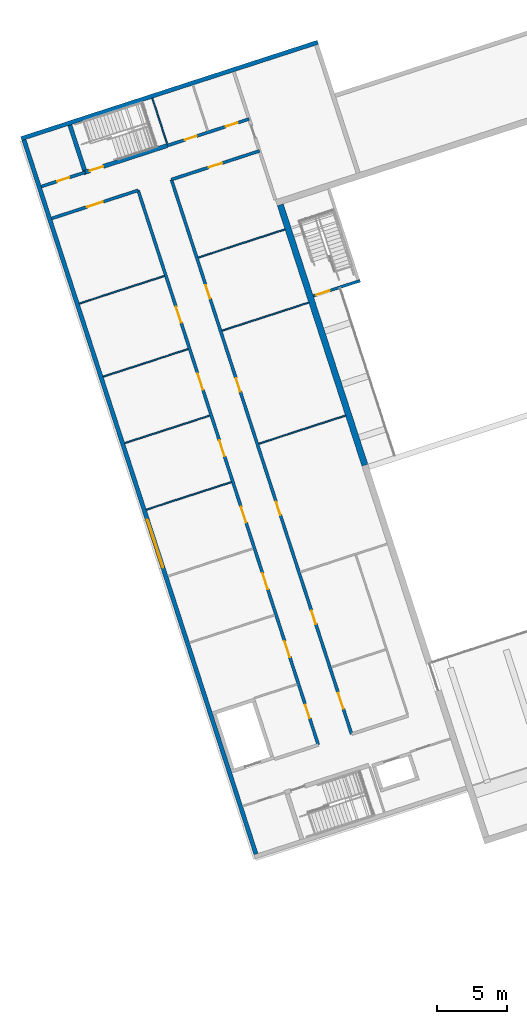
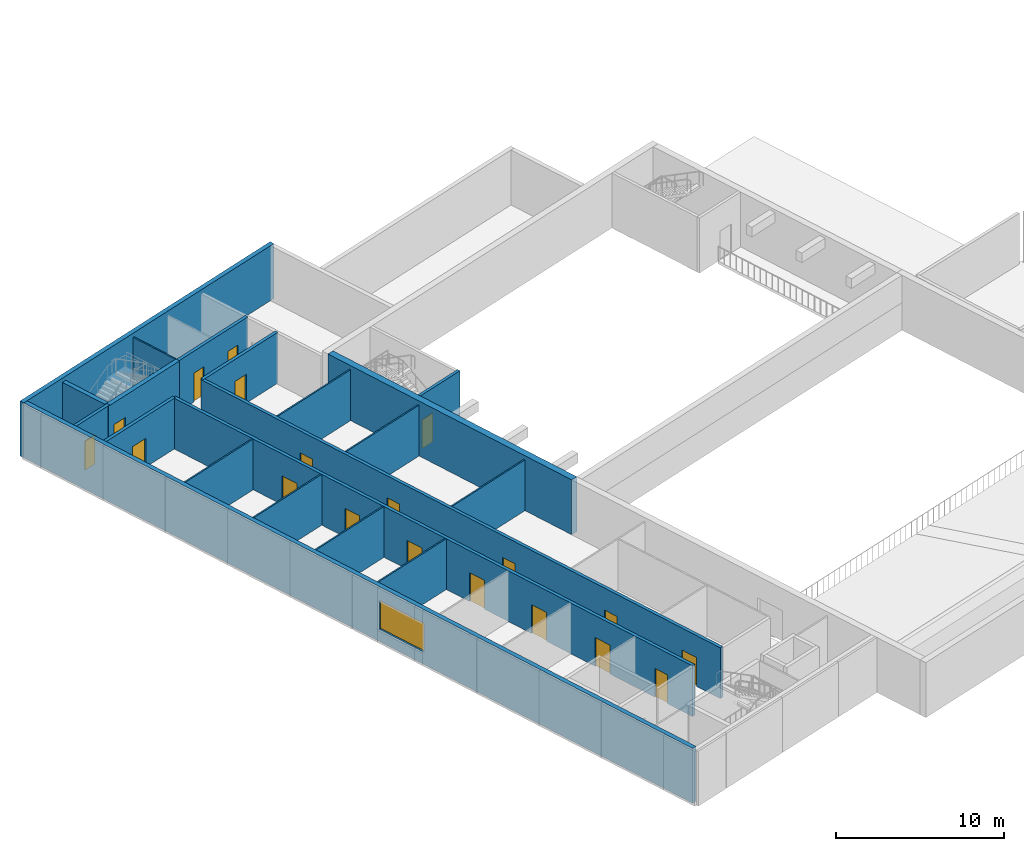
# One storey, part 54 of 65: 20 walls, 19 doors, 1 window, 20 openings.
"""IFC4 building model written with IfcOpenShell, lengths in metres."""

from ifc_helpers import new_model, si_unit, direction, frame, frame_2d, origin, place, context, subcontext, project, spatial, rectangle, extrude, material, layer, layer_set, type_object, element, fill, save


model = new_model("IFC4")

# Units and contexts
model_context = context("Model", 3, precision=1e-05, world=origin(), true_north=direction((0.0, 1.0)))
body_context = subcontext(model_context, "Body", "Model", "MODEL_VIEW")
ifc_project = project(units=[si_unit("LENGTHUNIT", "METRE"), si_unit("AREAUNIT", "SQUARE_METRE"), si_unit("VOLUMEUNIT", "CUBIC_METRE"), si_unit("PLANEANGLEUNIT", "RADIAN"), si_unit("MASSUNIT", "GRAM", prefix="KILO")], contexts=[model_context])

# Site, building, storey
site_placement = place(None, origin())
site = spatial("IfcSite", under=ifc_project, at=site_placement, CompositionType="ELEMENT")
building_placement = place(site_placement, origin())
building = spatial("IfcBuilding", under=site, at=building_placement, Name="Tuart Plaza Theatre", CompositionType="ELEMENT")
storey_placement = place(building_placement, frame((0.0, 0.0, 9.5)))
storey = spatial("IfcBuildingStorey", under=building, at=storey_placement, Name="L02", CompositionType="ELEMENT", Elevation=9.5)

# Walls
ifc_material_1 = material(Name="Plasterboard on steel stud", Category="steel")
ifc_layer_1 = layer(ifc_material_1, 0.10009765625)
ifc_layer_set_1 = layer_set([ifc_layer_1], Name="PARTITION STD100")
wall_type_1 = type_object("IfcWallType", Name="PARTITION STD100", PredefinedType="PARTITIONING", material=ifc_layer_set_1)
wall_1_placement = place(storey_placement, frame((25.6552734375, 65.6337890625, 0.0), z_axis=(0.0, 0.0, 1.0), x_axis=(0.951055405517, 0.309020412977, 0.0)))
element("IfcWall", 1, at=wall_1_placement, inside=storey, type_object=wall_type_1, Name="P259", PredefinedType="PARTITIONING", context=body_context, shape_type="SweptSolid", body=[
    extrude(rectangle(XDim=6.389892578125, YDim=0.10009765625, at=frame_2d((3.19482421875, 0.0))), origin(), (0.0, 0.0, 1.0), 3.699951171875),
])
wall_2_placement = place(storey_placement, frame((33.701416015625, 70.35107421875, 0.0), z_axis=(0.0, 0.0, 1.0), x_axis=(0.951058024796, 0.309012351648, 0.0)))
element("IfcWall", 2, at=wall_2_placement, inside=storey, type_object=wall_type_1, Name="P260", PredefinedType="PARTITIONING", context=body_context, shape_type="SweptSolid", body=[
    extrude(rectangle(XDim=6.514892578125, YDim=0.10009765625, at=frame_2d((3.25732421875, 0.0))), origin(), (0.0, 0.0, 1.0), 3.699951171875),
])
wall_3_placement = place(storey_placement, frame((24.110107421875, 70.38916015625, 0.0), z_axis=(0.0, 0.0, 1.0), x_axis=(0.951059053869, 0.309009184417, 0.0)))
element("IfcWall", 3, at=wall_3_placement, inside=storey, type_object=wall_type_1, Name="P261", PredefinedType="PARTITIONING", context=body_context, shape_type="SweptSolid", body=[
    extrude(rectangle(XDim=6.39013671875, YDim=0.10009765625, at=frame_2d((3.195068359375, 0.0))), origin(), (0.0, 0.0, 1.0), 3.699951171875),
])
wall_4_placement = place(storey_placement, frame((22.565185546875, 75.144287109375, 0.0), z_axis=(0.0, 0.0, 1.0), x_axis=(0.951055405517, 0.309020412977, 0.0)))
element("IfcWall", 4, at=wall_4_placement, inside=storey, type_object=wall_type_1, Name="P262", PredefinedType="PARTITIONING", context=body_context, shape_type="SweptSolid", body=[
    extrude(rectangle(XDim=6.389892578125, YDim=0.10009765625, at=frame_2d((3.19482421875, 0.0))), origin(), (0.0, 0.0, 1.0), 3.699951171875),
])
wall_5_placement = place(storey_placement, frame((31.07470703125, 78.43505859375, 0.0), z_axis=(0.0, 0.0, 1.0), x_axis=(0.951058024796, 0.309012351648, 0.0)))
element("IfcWall", 5, at=wall_5_placement, inside=storey, type_object=wall_type_1, Name="P263", PredefinedType="PARTITIONING", context=body_context, shape_type="SweptSolid", body=[
    extrude(rectangle(XDim=6.514892578125, YDim=0.10009765625, at=frame_2d((3.25732421875, 0.0))), origin(), (0.0, 0.0, 1.0), 3.699951171875),
])
wall_6_placement = place(storey_placement, frame((20.865478515625, 80.375244140625, 0.0), z_axis=(0.0, 0.0, 1.0), x_axis=(0.951055405517, 0.309020412977, 0.0)))
element("IfcWall", 6, at=wall_6_placement, inside=storey, type_object=wall_type_1, Name="P264", PredefinedType="PARTITIONING", context=body_context, shape_type="SweptSolid", body=[
    extrude(rectangle(XDim=6.389892578125, YDim=0.10009765625, at=frame_2d((3.19482421875, 0.0))), origin(), (0.0, 0.0, 1.0), 3.699951171875),
])
wall_7_placement = place(storey_placement, frame((29.375, 83.665771484375, 0.0), z_axis=(0.0, 0.0, 1.0), x_axis=(0.951061602966, 0.309001338773, 0.0)))
element("IfcWall", 7, at=wall_7_placement, inside=storey, type_object=wall_type_1, Name="P265", PredefinedType="PARTITIONING", context=body_context, shape_type="SweptSolid", body=[
    extrude(rectangle(XDim=6.51513671875, YDim=0.10009765625, at=frame_2d((3.257568359375, 0.0))), origin(), (0.0, 0.0, 1.0), 3.699951171875),
])
ifc_material_2 = material(Name="Plasterboard on steel stud", Category="steel")
ifc_layer_2 = layer(ifc_material_2, 0.10009765625)
ifc_layer_set_2 = layer_set([ifc_layer_2], Name="PARTITION STD100 FRL 120/120/120")
wall_type_2 = type_object("IfcWallType", Name="PARTITION STD100 FRL 120/120/120", PredefinedType="PARTITIONING", material=ifc_layer_set_2)
wall_8_placement = place(storey_placement, frame((27.134765625, 91.82275390625, 0.0), z_axis=(0.0, 0.0, 1.0), x_axis=(-0.308980533303, 0.951068362443, 0.0)))
element("IfcWall", 8, at=wall_8_placement, inside=storey, type_object=wall_type_2, Name="P267", PredefinedType="PARTITIONING", context=body_context, shape_type="SweptSolid", body=[
    extrude(rectangle(XDim=3.39990234375, YDim=0.10009765625, at=frame_2d((1.699951171875, 0.0))), origin(), (0.0, 0.0, 1.0), 3.699951171875),
])
ifc_material_3 = material(Name="Concrete N50 (50 MPa)", Category="concrete")
ifc_layer_3 = layer(ifc_material_3, 0.449951171875)
ifc_layer_set_3 = layer_set([ifc_layer_3], Name="SHEAR WALL RC450 N50 FRL 120/120/120")
wall_type_3 = type_object("IfcWallType", Name="SHEAR WALL RC450 N50 FRL 120/120/120", PredefinedType="SHEAR", material=ifc_layer_set_3)
wall_9_placement = place(storey_placement, frame((41.28564453125, 68.81982421875, 0.0), z_axis=(0.0, 0.0, 1.0), x_axis=(-0.309008517326, 0.951059270613, 0.0)))
element("IfcWall", 9, at=wall_9_placement, inside=storey, type_object=wall_type_3, Name="W47", PredefinedType="SHEAR", context=body_context, shape_type="SweptSolid", body=[
    extrude(rectangle(XDim=19.574951171875, YDim=0.449951171875, at=frame_2d((9.78759765625, 0.0))), origin(), (0.0, 0.0, 1.0), 4.0),
])

# Wall, opening, door
ifc_material_4 = material(Name="Concrete N40 (40 MPa)", Category="concrete")
ifc_layer_4 = layer(ifc_material_4, 0.199951171875)
ifc_layer_set_4 = layer_set([ifc_layer_4], Name="WALL RC200 LB FRL 120/120/120")
wall_type_4 = type_object("IfcWallType", Name="WALL RC200 LB FRL 120/120/120", PredefinedType="SOLIDWALL", material=ifc_layer_set_4)
wall_10_placement = place(storey_placement, frame((37.590576171875, 80.920166015625, 0.0), z_axis=(0.0, 0.0, 1.0), x_axis=(0.951052389726, 0.30902969436, 0.0)))
wall_10 = element("IfcWall", 10, at=wall_10_placement, inside=storey, type_object=wall_type_4, Name="W138", PredefinedType="SOLIDWALL", context=body_context, shape_type="SweptSolid", body=[
    extrude(rectangle(XDim=3.525146484375, YDim=0.199951171875, at=frame_2d((1.7626953125, 0.0))), origin(), (0.0, 0.0, 1.0), 4.0),
])
opening_1_placement = place(wall_10_placement, frame((0.22509765625, 0.0, 0.0)))
opening_1 = element("IfcOpeningElement", 11, at=opening_1_placement, cuts=wall_10, Name="Opening L02-028", PredefinedType="OPENING", context=body_context, shape_type="SweptSolid", body=[
    extrude(rectangle(XDim=1.0, YDim=2.10009765625, at=frame_2d((0.5, 1.050048828125))), frame((0.0, 0.10986328125, 0.0), z_axis=(0.0, -1.0, 0.0), x_axis=(1.0, 0.0, 0.0)), (0.0, 0.0, 1.0), 0.219970703125),
])
ifc_material_5 = material(Name="Timber", Category="wood")
door_type_1 = type_object("IfcDoorType", Name="DOOR 1000x2100 timber single swing FRL -/120/30", OperationType="SINGLE_SWING_LEFT", PredefinedType="DOOR", material=ifc_material_5)
door_1_placement = place(opening_1_placement, origin())
door_1 = element("IfcDoor", 12, at=door_1_placement, inside=storey, type_object=door_type_1, Name="L02-028", OperationType="SINGLE_SWING_LEFT", OverallHeight=2.10009765625, OverallWidth=1.0, PredefinedType="DOOR", context=body_context, shape_type="SweptSolid", body=[
    extrude(rectangle(XDim=1.0, YDim=2.10009765625, at=frame_2d((0.5, 1.050048828125))), frame((0.0, 0.02490234375, 0.0), z_axis=(0.0, -1.0, 0.0), x_axis=(1.0, 0.0, 0.0)), (0.0, 0.0, 1.0), 0.050048828125),
])
fill(opening_1, door_1)

# Wall, openings, doors
ifc_material_6 = material(Name="Concrete N40 (40 MPa)", Category="concrete")
ifc_layer_5 = layer(ifc_material_6, 0.219970703125)
ifc_layer_set_5 = layer_set([ifc_layer_5], Name="WALL RC220 LB FRL 120/120/120")
wall_type_5 = type_object("IfcWallType", Name="WALL RC220 LB FRL 120/120/120", PredefinedType="SOLIDWALL", material=ifc_layer_set_5)
wall_11_placement = place(storey_placement, frame((37.95556640625, 48.8115234375, 0.0), z_axis=(0.0, 0.0, 1.0), x_axis=(-0.30901736393, 0.951056396219, 0.0)))
wall_11 = element("IfcWall", 13, at=wall_11_placement, inside=storey, type_object=wall_type_5, Name="W521", PredefinedType="SOLIDWALL", context=body_context, shape_type="SweptSolid", body=[
    extrude(rectangle(XDim=41.699951171875, YDim=0.219970703125, at=frame_2d((20.85009765625, 0.0))), origin(), (0.0, 0.0, 1.0), 3.699951171875),
])
opening_2_placement = place(wall_11_placement, frame((2.009033203125, 0.0, 0.0)))
opening_2 = element("IfcOpeningElement", 14, at=opening_2_placement, cuts=wall_11, Name="Opening L02-011", PredefinedType="OPENING", context=body_context, shape_type="SweptSolid", body=[
    extrude(rectangle(XDim=1.0, YDim=2.10009765625, at=frame_2d((0.5, 1.050048828125))), frame((0.0, 0.119873046875, 0.0), z_axis=(0.0, -1.0, 0.0), x_axis=(1.0, 0.0, 0.0)), (0.0, 0.0, 1.0), 0.239990234375),
])
opening_3_placement = place(wall_11_placement, frame((6.60009765625, 0.0, 0.0)))
opening_3 = element("IfcOpeningElement", 15, at=opening_3_placement, cuts=wall_11, Name="Opening L02-012", PredefinedType="OPENING", context=body_context, shape_type="SweptSolid", body=[
    extrude(rectangle(XDim=1.199951171875, YDim=2.10009765625, at=frame_2d((0.60009765625, 1.050048828125))), frame((0.0, 0.119873046875, 0.0), z_axis=(0.0, -1.0, 0.0), x_axis=(1.0, 0.0, 0.0)), (0.0, 0.0, 1.0), 0.239990234375),
])
opening_4_placement = place(wall_11_placement, frame((11.699951171875, 0.0, 0.0)))
opening_4 = element("IfcOpeningElement", 16, at=opening_4_placement, cuts=wall_11, Name="Opening L02-013", PredefinedType="OPENING", context=body_context, shape_type="SweptSolid", body=[
    extrude(rectangle(XDim=1.199951171875, YDim=2.10009765625, at=frame_2d((0.60009765625, 1.050048828125))), frame((0.0, 0.119873046875, 0.0), z_axis=(0.0, -1.0, 0.0), x_axis=(1.0, 0.0, 0.0)), (0.0, 0.0, 1.0), 0.239990234375),
])
opening_5_placement = place(wall_11_placement, frame((16.699951171875, 0.0, 0.0)))
opening_5 = element("IfcOpeningElement", 17, at=opening_5_placement, cuts=wall_11, Name="Opening L02-014", PredefinedType="OPENING", context=body_context, shape_type="SweptSolid", body=[
    extrude(rectangle(XDim=1.199951171875, YDim=2.10009765625, at=frame_2d((0.60009765625, 1.050048828125))), frame((0.0, 0.119873046875, 0.0), z_axis=(0.0, -1.0, 0.0), x_axis=(1.0, 0.0, 0.0)), (0.0, 0.0, 1.0), 0.239990234375),
])
opening_6_placement = place(wall_11_placement, frame((21.699951171875, 0.0, 0.0)))
opening_6 = element("IfcOpeningElement", 18, at=opening_6_placement, cuts=wall_11, Name="Opening L02-015", PredefinedType="OPENING", context=body_context, shape_type="SweptSolid", body=[
    extrude(rectangle(XDim=1.199951171875, YDim=2.10009765625, at=frame_2d((0.60009765625, 1.050048828125))), frame((0.0, 0.119873046875, 0.0), z_axis=(0.0, -1.0, 0.0), x_axis=(1.0, 0.0, 0.0)), (0.0, 0.0, 1.0), 0.239990234375),
])
opening_7_placement = place(wall_11_placement, frame((26.699951171875, 0.0, 0.0)))
opening_7 = element("IfcOpeningElement", 19, at=opening_7_placement, cuts=wall_11, Name="Opening L02-016", PredefinedType="OPENING", context=body_context, shape_type="SweptSolid", body=[
    extrude(rectangle(XDim=1.199951171875, YDim=2.10009765625, at=frame_2d((0.60009765625, 1.050048828125))), frame((0.0, 0.119873046875, 0.0), z_axis=(0.0, -1.0, 0.0), x_axis=(1.0, 0.0, 0.0)), (0.0, 0.0, 1.0), 0.239990234375),
])
opening_8_placement = place(wall_11_placement, frame((31.738525390625, 0.0, 0.0)))
opening_8 = element("IfcOpeningElement", 20, at=opening_8_placement, cuts=wall_11, Name="Opening L02-017", PredefinedType="OPENING", context=body_context, shape_type="SweptSolid", body=[
    extrude(rectangle(XDim=1.199951171875, YDim=2.10009765625, at=frame_2d((0.60009765625, 1.050048828125))), frame((0.0, 0.119873046875, 0.0), z_axis=(0.0, -1.0, 0.0), x_axis=(1.0, 0.0, 0.0)), (0.0, 0.0, 1.0), 0.239990234375),
])
door_2_placement = place(opening_2_placement, origin())
door_2 = element("IfcDoor", 21, at=door_2_placement, inside=storey, type_object=door_type_1, Name="L02-011", OperationType="SINGLE_SWING_LEFT", OverallHeight=2.10009765625, OverallWidth=1.0, PredefinedType="DOOR", context=body_context, shape_type="SweptSolid", body=[
    extrude(rectangle(XDim=1.0, YDim=2.10009765625, at=frame_2d((0.5, 1.050048828125))), frame((0.0, 0.02490234375, 0.0), z_axis=(0.0, -1.0, 0.0), x_axis=(1.0, 0.0, 0.0)), (0.0, 0.0, 1.0), 0.050048828125),
])
fill(opening_2, door_2)
ifc_material_7 = material(Name="Timber", Category="wood")
door_type_2 = type_object("IfcDoorType", Name="DOOR 1200x2100 timber single swing FRL -/120/30", OperationType="SINGLE_SWING_LEFT", PredefinedType="DOOR", material=ifc_material_7)
door_3_placement = place(opening_3_placement, origin())
door_3 = element("IfcDoor", 22, at=door_3_placement, inside=storey, type_object=door_type_2, Name="L02-012", OperationType="SINGLE_SWING_RIGHT", OverallHeight=2.10009765625, OverallWidth=1.199951171875, PredefinedType="DOOR", context=body_context, shape_type="SweptSolid", body=[
    extrude(rectangle(XDim=1.199951171875, YDim=2.10009765625, at=frame_2d((0.60009765625, 1.050048828125))), frame((0.0, 0.02490234375, 0.0), z_axis=(0.0, -1.0, 0.0), x_axis=(1.0, 0.0, 0.0)), (0.0, 0.0, 1.0), 0.050048828125),
])
fill(opening_3, door_3)
door_4_placement = place(opening_4_placement, origin())
door_4 = element("IfcDoor", 23, at=door_4_placement, inside=storey, type_object=door_type_2, Name="L02-013", OperationType="SINGLE_SWING_RIGHT", OverallHeight=2.10009765625, OverallWidth=1.199951171875, PredefinedType="DOOR", context=body_context, shape_type="SweptSolid", body=[
    extrude(rectangle(XDim=1.199951171875, YDim=2.10009765625, at=frame_2d((0.60009765625, 1.050048828125))), frame((0.0, 0.02490234375, 0.0), z_axis=(0.0, -1.0, 0.0), x_axis=(1.0, 0.0, 0.0)), (0.0, 0.0, 1.0), 0.050048828125),
])
fill(opening_4, door_4)
door_5_placement = place(opening_5_placement, origin())
door_5 = element("IfcDoor", 24, at=door_5_placement, inside=storey, type_object=door_type_2, Name="L02-014", OperationType="SINGLE_SWING_RIGHT", OverallHeight=2.10009765625, OverallWidth=1.199951171875, PredefinedType="DOOR", context=body_context, shape_type="SweptSolid", body=[
    extrude(rectangle(XDim=1.199951171875, YDim=2.10009765625, at=frame_2d((0.60009765625, 1.050048828125))), frame((0.0, 0.02490234375, 0.0), z_axis=(0.0, -1.0, 0.0), x_axis=(1.0, 0.0, 0.0)), (0.0, 0.0, 1.0), 0.050048828125),
])
fill(opening_5, door_5)
door_6_placement = place(opening_6_placement, origin())
door_6 = element("IfcDoor", 25, at=door_6_placement, inside=storey, type_object=door_type_2, Name="L02-015", OperationType="SINGLE_SWING_LEFT", OverallHeight=2.10009765625, OverallWidth=1.199951171875, PredefinedType="DOOR", context=body_context, shape_type="SweptSolid", body=[
    extrude(rectangle(XDim=1.199951171875, YDim=2.10009765625, at=frame_2d((0.60009765625, 1.050048828125))), frame((0.0, 0.02490234375, 0.0), z_axis=(0.0, -1.0, 0.0), x_axis=(1.0, 0.0, 0.0)), (0.0, 0.0, 1.0), 0.050048828125),
])
fill(opening_6, door_6)
door_7_placement = place(opening_7_placement, origin())
door_7 = element("IfcDoor", 26, at=door_7_placement, inside=storey, type_object=door_type_2, Name="L02-016", OperationType="SINGLE_SWING_LEFT", OverallHeight=2.10009765625, OverallWidth=1.199951171875, PredefinedType="DOOR", context=body_context, shape_type="SweptSolid", body=[
    extrude(rectangle(XDim=1.199951171875, YDim=2.10009765625, at=frame_2d((0.60009765625, 1.050048828125))), frame((0.0, 0.02490234375, 0.0), z_axis=(0.0, -1.0, 0.0), x_axis=(1.0, 0.0, 0.0)), (0.0, 0.0, 1.0), 0.050048828125),
])
fill(opening_7, door_7)
door_8_placement = place(opening_8_placement, origin())
door_8 = element("IfcDoor", 27, at=door_8_placement, inside=storey, type_object=door_type_2, Name="L02-017", OperationType="SINGLE_SWING_LEFT", OverallHeight=2.10009765625, OverallWidth=1.199951171875, PredefinedType="DOOR", context=body_context, shape_type="SweptSolid", body=[
    extrude(rectangle(XDim=1.199951171875, YDim=2.10009765625, at=frame_2d((0.60009765625, 1.050048828125))), frame((0.0, 0.02490234375, 0.0), z_axis=(0.0, -1.0, 0.0), x_axis=(1.0, 0.0, 0.0)), (0.0, 0.0, 1.0), 0.050048828125),
])
fill(opening_8, door_8)

wall_12_placement = place(storey_placement, frame((40.333251953125, 49.583984375, 0.0), z_axis=(0.0, 0.0, 1.0), x_axis=(-0.309015643281, 0.951056955291, 0.0)))
wall_12 = element("IfcWall", 28, at=wall_12_placement, inside=storey, type_object=wall_type_5, Name="W522", PredefinedType="SOLIDWALL", context=body_context, shape_type="SweptSolid", body=[
    extrude(rectangle(XDim=41.7001953125, YDim=0.219970703125, at=frame_2d((20.85009765625, 0.0))), origin(), (0.0, 0.0, 1.0), 3.699951171875),
])
opening_9_placement = place(wall_12_placement, frame((1.89990234375, 0.0, 0.0)))
opening_9 = element("IfcOpeningElement", 29, at=opening_9_placement, cuts=wall_12, Name="Opening L02-019", PredefinedType="OPENING", context=body_context, shape_type="SweptSolid", body=[
    extrude(rectangle(XDim=1.199951171875, YDim=2.10009765625, at=frame_2d((0.60009765625, 1.050048828125))), frame((0.0, 0.119873046875, 0.0), z_axis=(0.0, -1.0, 0.0), x_axis=(1.0, 0.0, 0.0)), (0.0, 0.0, 1.0), 0.239990234375),
])
opening_10_placement = place(wall_12_placement, frame((8.285400390625, 0.0, 0.0)))
opening_10 = element("IfcOpeningElement", 30, at=opening_10_placement, cuts=wall_12, Name="Opening L02-020", PredefinedType="OPENING", context=body_context, shape_type="SweptSolid", body=[
    extrude(rectangle(XDim=1.0, YDim=2.10009765625, at=frame_2d((0.5, 1.050048828125))), frame((0.0, 0.119873046875, 0.0), z_axis=(0.0, -1.0, 0.0), x_axis=(1.0, 0.0, 0.0)), (0.0, 0.0, 1.0), 0.239990234375),
])
opening_11_placement = place(wall_12_placement, frame((16.47509765625, 0.0, 0.0)))
opening_11 = element("IfcOpeningElement", 31, at=opening_11_placement, cuts=wall_12, Name="Opening L02-021", PredefinedType="OPENING", context=body_context, shape_type="SweptSolid", body=[
    extrude(rectangle(XDim=1.0, YDim=2.10009765625, at=frame_2d((0.5, 1.050048828125))), frame((0.0, 0.119873046875, 0.0), z_axis=(0.0, -1.0, 0.0), x_axis=(1.0, 0.0, 0.0)), (0.0, 0.0, 1.0), 0.239990234375),
])
opening_12_placement = place(wall_12_placement, frame((25.75244140625, 0.0, 0.0)))
opening_12 = element("IfcOpeningElement", 32, at=opening_12_placement, cuts=wall_12, Name="Opening L02-022", PredefinedType="OPENING", context=body_context, shape_type="SweptSolid", body=[
    extrude(rectangle(XDim=1.0, YDim=2.10009765625, at=frame_2d((0.5, 1.050048828125))), frame((0.0, 0.119873046875, 0.0), z_axis=(0.0, -1.0, 0.0), x_axis=(1.0, 0.0, 0.0)), (0.0, 0.0, 1.0), 0.239990234375),
])
opening_13_placement = place(wall_12_placement, frame((32.761474609375, 0.0, 0.0)))
opening_13 = element("IfcOpeningElement", 33, at=opening_13_placement, cuts=wall_12, Name="Opening L02-023", PredefinedType="OPENING", context=body_context, shape_type="SweptSolid", body=[
    extrude(rectangle(XDim=1.0, YDim=2.10009765625, at=frame_2d((0.5, 1.050048828125))), frame((0.0, 0.119873046875, 0.0), z_axis=(0.0, -1.0, 0.0), x_axis=(1.0, 0.0, 0.0)), (0.0, 0.0, 1.0), 0.239990234375),
])
door_9_placement = place(opening_10_placement, frame((1.0, 0.0, 0.0), z_axis=(0.0, 0.0, 1.0), x_axis=(-1.0, 0.0, 0.0)))
door_9 = element("IfcDoor", 34, at=door_9_placement, inside=storey, type_object=door_type_1, Name="L02-020", OperationType="SINGLE_SWING_LEFT", OverallHeight=2.10009765625, OverallWidth=1.0, PredefinedType="DOOR", context=body_context, shape_type="SweptSolid", body=[
    extrude(rectangle(XDim=1.0, YDim=2.10009765625, at=frame_2d((0.5, 1.050048828125))), frame((0.0, 0.02490234375, 0.0), z_axis=(0.0, -1.0, 0.0), x_axis=(1.0, 0.0, 0.0)), (0.0, 0.0, 1.0), 0.050048828125),
])
fill(opening_10, door_9)
door_10_placement = place(opening_11_placement, frame((1.0, 0.0, 0.0), z_axis=(0.0, 0.0, 1.0), x_axis=(-1.0, 0.0, 0.0)))
door_10 = element("IfcDoor", 35, at=door_10_placement, inside=storey, type_object=door_type_1, Name="L02-021", OperationType="SINGLE_SWING_LEFT", OverallHeight=2.10009765625, OverallWidth=1.0, PredefinedType="DOOR", context=body_context, shape_type="SweptSolid", body=[
    extrude(rectangle(XDim=1.0, YDim=2.10009765625, at=frame_2d((0.5, 1.050048828125))), frame((0.0, 0.02490234375, 0.0), z_axis=(0.0, -1.0, 0.0), x_axis=(1.0, 0.0, 0.0)), (0.0, 0.0, 1.0), 0.050048828125),
])
fill(opening_11, door_10)
door_11_placement = place(opening_12_placement, frame((1.0, 0.0, 0.0), z_axis=(0.0, 0.0, 1.0), x_axis=(-1.0, 0.0, 0.0)))
door_11 = element("IfcDoor", 36, at=door_11_placement, inside=storey, type_object=door_type_1, Name="L02-022", OperationType="SINGLE_SWING_RIGHT", OverallHeight=2.10009765625, OverallWidth=1.0, PredefinedType="DOOR", context=body_context, shape_type="SweptSolid", body=[
    extrude(rectangle(XDim=1.0, YDim=2.10009765625, at=frame_2d((0.5, 1.050048828125))), frame((0.0, 0.02490234375, 0.0), z_axis=(0.0, -1.0, 0.0), x_axis=(1.0, 0.0, 0.0)), (0.0, 0.0, 1.0), 0.050048828125),
])
fill(opening_12, door_11)
door_12_placement = place(opening_13_placement, frame((1.0, 0.0, 0.0), z_axis=(0.0, 0.0, 1.0), x_axis=(-1.0, 0.0, 0.0)))
door_12 = element("IfcDoor", 37, at=door_12_placement, inside=storey, type_object=door_type_1, Name="L02-023", OperationType="SINGLE_SWING_LEFT", OverallHeight=2.10009765625, OverallWidth=1.0, PredefinedType="DOOR", context=body_context, shape_type="SweptSolid", body=[
    extrude(rectangle(XDim=1.0, YDim=2.10009765625, at=frame_2d((0.5, 1.050048828125))), frame((0.0, 0.02490234375, 0.0), z_axis=(0.0, -1.0, 0.0), x_axis=(1.0, 0.0, 0.0)), (0.0, 0.0, 1.0), 0.050048828125),
])
fill(opening_13, door_12)
door_13_placement = place(opening_9_placement, frame((1.199951171875, 0.0, 0.0), z_axis=(0.0, 0.0, 1.0), x_axis=(-1.0, 0.0, 0.0)))
door_13 = element("IfcDoor", 38, at=door_13_placement, inside=storey, type_object=door_type_2, Name="L02-019", OperationType="SINGLE_SWING_LEFT", OverallHeight=2.10009765625, OverallWidth=1.199951171875, PredefinedType="DOOR", context=body_context, shape_type="SweptSolid", body=[
    extrude(rectangle(XDim=1.199951171875, YDim=2.10009765625, at=frame_2d((0.60009765625, 1.050048828125))), frame((0.0, 0.02490234375, 0.0), z_axis=(0.0, -1.0, 0.0), x_axis=(1.0, 0.0, 0.0)), (0.0, 0.0, 1.0), 0.050048828125),
])
fill(opening_9, door_13)

# Wall, opening, door
wall_13_placement = place(storey_placement, frame((18.8876953125, 86.4619140625, 0.0), z_axis=(0.0, 0.0, 1.0), x_axis=(0.951059735424, 0.30900708674, 0.0)))
wall_13 = element("IfcWall", 39, at=wall_13_placement, inside=storey, type_object=wall_type_5, Name="W525", PredefinedType="SOLIDWALL", context=body_context, shape_type="SweptSolid", body=[
    extrude(rectangle(XDim=6.5, YDim=0.219970703125, at=frame_2d((3.25, 0.0))), origin(), (0.0, 0.0, 1.0), 3.699951171875),
])
opening_14_placement = place(wall_13_placement, frame((2.64990234375, 0.0, 0.0)))
opening_14 = element("IfcOpeningElement", 40, at=opening_14_placement, cuts=wall_13, Name="Opening L02-018", PredefinedType="OPENING", context=body_context, shape_type="SweptSolid", body=[
    extrude(rectangle(XDim=1.199951171875, YDim=2.10009765625, at=frame_2d((0.60009765625, 1.050048828125))), frame((0.0, 0.119873046875, 0.0), z_axis=(0.0, -1.0, 0.0), x_axis=(1.0, 0.0, 0.0)), (0.0, 0.0, 1.0), 0.239990234375),
])
door_14_placement = place(opening_14_placement, frame((1.199951171875, 0.0, 0.0), z_axis=(0.0, 0.0, 1.0), x_axis=(-1.0, 0.0, 0.0)))
door_14 = element("IfcDoor", 41, at=door_14_placement, inside=storey, type_object=door_type_2, Name="L02-018", OperationType="SINGLE_SWING_LEFT", OverallHeight=2.10009765625, OverallWidth=1.199951171875, PredefinedType="DOOR", context=body_context, shape_type="SweptSolid", body=[
    extrude(rectangle(XDim=1.199951171875, YDim=2.10009765625, at=frame_2d((0.60009765625, 1.050048828125))), frame((0.0, 0.02490234375, 0.0), z_axis=(0.0, -1.0, 0.0), x_axis=(1.0, 0.0, 0.0)), (0.0, 0.0, 1.0), 0.050048828125),
])
fill(opening_14, door_14)

wall_14_placement = place(storey_placement, frame((27.447265625, 89.2431640625, 0.0), z_axis=(0.0, 0.0, 1.0), x_axis=(0.951062229373, 0.308999410776, 0.0)))
wall_14 = element("IfcWall", 42, at=wall_14_placement, inside=storey, type_object=wall_type_5, Name="W526", PredefinedType="SOLIDWALL", context=body_context, shape_type="SweptSolid", body=[
    extrude(rectangle(XDim=6.625, YDim=0.219970703125, at=frame_2d((3.3125, 0.0))), origin(), (0.0, 0.0, 1.0), 3.699951171875),
])
opening_15_placement = place(wall_14_placement, frame((2.8125, 0.0, 0.0)))
opening_15 = element("IfcOpeningElement", 43, at=opening_15_placement, cuts=wall_14, Name="Opening L02-024", PredefinedType="OPENING", context=body_context, shape_type="SweptSolid", body=[
    extrude(rectangle(XDim=1.0, YDim=2.10009765625, at=frame_2d((0.5, 1.050048828125))), frame((0.0, 0.119873046875, 0.0), z_axis=(0.0, -1.0, 0.0), x_axis=(1.0, 0.0, 0.0)), (0.0, 0.0, 1.0), 0.239990234375),
])
door_15_placement = place(opening_15_placement, frame((1.0, 0.0, 0.0), z_axis=(0.0, 0.0, 1.0), x_axis=(-1.0, 0.0, 0.0)))
door_15 = element("IfcDoor", 44, at=door_15_placement, inside=storey, type_object=door_type_1, Name="L02-024", OperationType="SINGLE_SWING_LEFT", OverallHeight=2.10009765625, OverallWidth=1.0, PredefinedType="DOOR", context=body_context, shape_type="SweptSolid", body=[
    extrude(rectangle(XDim=1.0, YDim=2.10009765625, at=frame_2d((0.5, 1.050048828125))), frame((0.0, 0.02490234375, 0.0), z_axis=(0.0, -1.0, 0.0), x_axis=(1.0, 0.0, 0.0)), (0.0, 0.0, 1.0), 0.050048828125),
])
fill(opening_15, door_15)

wall_15_placement = place(storey_placement, frame((18.146240234375, 88.744384765625, 0.0), z_axis=(0.0, 0.0, 1.0), x_axis=(0.951053095941, 0.309027520945, 0.0)))
wall_15 = element("IfcWall", 45, at=wall_15_placement, inside=storey, type_object=wall_type_5, Name="W527", PredefinedType="SOLIDWALL", context=body_context, shape_type="SweptSolid", body=[
    extrude(rectangle(XDim=3.300048828125, YDim=0.219970703125, at=frame_2d((1.64990234375, 0.0))), origin(), (0.0, 0.0, 1.0), 3.699951171875),
])
opening_16_placement = place(wall_15_placement, frame((1.199951171875, 0.0, 0.0)))
opening_16 = element("IfcOpeningElement", 46, at=opening_16_placement, cuts=wall_15, Name="Opening L02-007", PredefinedType="OPENING", context=body_context, shape_type="SweptSolid", body=[
    extrude(rectangle(XDim=0.89990234375, YDim=2.10009765625, at=frame_2d((0.449951171875, 1.050048828125))), frame((0.0, 0.119873046875, 0.0), z_axis=(0.0, -1.0, 0.0), x_axis=(1.0, 0.0, 0.0)), (0.0, 0.0, 1.0), 0.239990234375),
])
ifc_material_8 = material(Name="Timber", Category="wood")
door_type_3 = type_object("IfcDoorType", Name="DOOR 900x2100 timber single swing FRL -/120/30", OperationType="SINGLE_SWING_LEFT", PredefinedType="DOOR", material=ifc_material_8)
door_16_placement = place(opening_16_placement, origin())
door_16 = element("IfcDoor", 47, at=door_16_placement, inside=storey, type_object=door_type_3, Name="L02-007", OperationType="SINGLE_SWING_LEFT", OverallHeight=2.10009765625, OverallWidth=0.89990234375, PredefinedType="DOOR", context=body_context, shape_type="SweptSolid", body=[
    extrude(rectangle(XDim=0.89990234375, YDim=2.10009765625, at=frame_2d((0.449951171875, 1.050048828125))), frame((0.0, 0.02490234375, 0.0), z_axis=(0.0, -1.0, 0.0), x_axis=(1.0, 0.0, 0.0)), (0.0, 0.0, 1.0), 0.050048828125),
])
fill(opening_16, door_16)

# Wall, openings, doors
wall_16_placement = place(storey_placement, frame((27.18115234375, 91.68017578125, 0.0), z_axis=(0.0, 0.0, 1.0), x_axis=(0.951063356831, 0.308995940577, 0.0)))
wall_16 = element("IfcWall", 48, at=wall_16_placement, inside=storey, type_object=wall_type_5, Name="W528", PredefinedType="SOLIDWALL", context=body_context, shape_type="SweptSolid", body=[
    extrude(rectangle(XDim=6.125, YDim=0.219970703125, at=frame_2d((3.0625, 0.0))), origin(), (0.0, 0.0, 1.0), 3.699951171875),
])
opening_17_placement = place(wall_16_placement, frame((1.29296875, 0.0, 0.0)))
opening_17 = element("IfcOpeningElement", 49, at=opening_17_placement, cuts=wall_16, Name="Opening L02-008", PredefinedType="OPENING", context=body_context, shape_type="SweptSolid", body=[
    extrude(rectangle(XDim=0.89990234375, YDim=2.10009765625, at=frame_2d((0.449951171875, 1.050048828125))), frame((0.0, 0.119873046875, 0.0), z_axis=(0.0, -1.0, 0.0), x_axis=(1.0, 0.0, 0.0)), (0.0, 0.0, 1.0), 0.239990234375),
])
opening_18_placement = place(wall_16_placement, frame((4.357177734375, 0.0, 0.0)))
opening_18 = element("IfcOpeningElement", 50, at=opening_18_placement, cuts=wall_16, Name="Opening L02-009", PredefinedType="OPENING", context=body_context, shape_type="SweptSolid", body=[
    extrude(rectangle(XDim=0.89990234375, YDim=2.10009765625, at=frame_2d((0.449951171875, 1.050048828125))), frame((0.0, 0.119873046875, 0.0), z_axis=(0.0, -1.0, 0.0), x_axis=(1.0, 0.0, 0.0)), (0.0, 0.0, 1.0), 0.239990234375),
])
door_17_placement = place(opening_17_placement, origin())
door_17 = element("IfcDoor", 51, at=door_17_placement, inside=storey, type_object=door_type_3, Name="L02-008", OperationType="SINGLE_SWING_RIGHT", OverallHeight=2.10009765625, OverallWidth=0.89990234375, PredefinedType="DOOR", context=body_context, shape_type="SweptSolid", body=[
    extrude(rectangle(XDim=0.89990234375, YDim=2.10009765625, at=frame_2d((0.449951171875, 1.050048828125))), frame((0.0, 0.02490234375, 0.0), z_axis=(0.0, -1.0, 0.0), x_axis=(1.0, 0.0, 0.0)), (0.0, 0.0, 1.0), 0.050048828125),
])
fill(opening_17, door_17)
door_18_placement = place(opening_18_placement, origin())
door_18 = element("IfcDoor", 52, at=door_18_placement, inside=storey, type_object=door_type_3, Name="L02-009", OperationType="SINGLE_SWING_LEFT", OverallHeight=2.10009765625, OverallWidth=0.89990234375, PredefinedType="DOOR", context=body_context, shape_type="SweptSolid", body=[
    extrude(rectangle(XDim=0.89990234375, YDim=2.10009765625, at=frame_2d((0.449951171875, 1.050048828125))), frame((0.0, 0.02490234375, 0.0), z_axis=(0.0, -1.0, 0.0), x_axis=(1.0, 0.0, 0.0)), (0.0, 0.0, 1.0), 0.050048828125),
])
fill(opening_18, door_18)

# Wall, opening, window
ifc_material_9 = material(Name="Concrete N40 (40 MPa)", Category="concrete")
ifc_layer_6 = layer(ifc_material_9, 0.300048828125)
ifc_layer_set_6 = layer_set([ifc_layer_6], Name="WALL RC300 LB FRL 120/120/120")
wall_type_6 = type_object("IfcWallType", Name="WALL RC300 LB FRL 120/120/120", PredefinedType="SOLIDWALL", material=ifc_layer_set_6)
wall_17_placement = place(storey_placement, frame((33.500732421875, 41.002685546875, 0.0), z_axis=(0.0, 0.0, 1.0), x_axis=(-0.309017194826, 0.951056451165, 0.0)))
wall_17 = element("IfcWall", 53, at=wall_17_placement, inside=storey, type_object=wall_type_6, Name="W72", PredefinedType="SOLIDWALL", context=body_context, shape_type="SweptSolid", body=[
    extrude(rectangle(XDim=53.699951171875, YDim=0.300048828125, at=frame_2d((26.85009765625, 0.0))), origin(), (0.0, 0.0, 1.0), 4.0),
])
opening_19_placement = place(wall_17_placement, frame((21.550048828125, 0.0, 0.89990234375)))
opening_19 = element("IfcOpeningElement", 54, at=opening_19_placement, cuts=wall_17, Name="Opening WN3", PredefinedType="OPENING", context=body_context, shape_type="SweptSolid", body=[
    extrude(rectangle(XDim=3.60009765625, YDim=2.10009765625, at=frame_2d((1.800048828125, 1.050048828125))), frame((0.0, 0.159912109375, 0.0), z_axis=(0.0, -1.0, 0.0), x_axis=(1.0, 0.0, 0.0)), (0.0, 0.0, 1.0), 0.320068359375),
])
ifc_material_10 = material(Name="Aluminium and glass", Category="aluminium")
window_type = type_object("IfcWindowType", Name="WINDOW 3600x2100 sill 900 aluminium double", PartitioningType="SINGLE_PANEL", PredefinedType="WINDOW", material=ifc_material_10)
window_placement = place(opening_19_placement, origin())
window = element("IfcWindow", 55, at=window_placement, inside=storey, type_object=window_type, Name="WN3", OverallHeight=2.10009765625, OverallWidth=3.60009765625, PartitioningType="SINGLE_PANEL", PredefinedType="WINDOW", context=body_context, shape_type="SweptSolid", body=[
    extrude(rectangle(XDim=3.60009765625, YDim=2.10009765625, at=frame_2d((1.800048828125, 1.050048828125))), frame((0.0, 0.030029296875, 0.0), z_axis=(0.0, -1.0, 0.0), x_axis=(1.0, 0.0, 0.0)), (0.0, 0.0, 1.0), 0.06005859375),
])
fill(opening_19, window)

# Wall
wall_18_placement = place(storey_placement, frame((16.717529296875, 92.170654296875, 0.0), z_axis=(0.0, 0.0, 1.0), x_axis=(0.951055789165, 0.309019232243, 0.0)))
element("IfcWall", 56, at=wall_18_placement, inside=storey, type_object=wall_type_6, Name="W73", PredefinedType="SOLIDWALL", context=body_context, shape_type="SweptSolid", body=[
    extrude(rectangle(XDim=22.300048828125, YDim=0.300048828125, at=frame_2d((11.14990234375, 0.0))), origin(), (0.0, 0.0, 1.0), 4.0),
])

# Wall, opening, door
wall_19_placement = place(storey_placement, frame((27.18115234375, 91.68017578125, 0.0), z_axis=(0.0, 0.0, 1.0), x_axis=(-0.951051301895, -0.309033042189, 0.0)))
wall_19 = element("IfcWall", 57, at=wall_19_placement, inside=storey, type_object=wall_type_6, Name="W119", PredefinedType="SOLIDWALL", context=body_context, shape_type="SweptSolid", body=[
    extrude(rectangle(XDim=6.35009765625, YDim=0.300048828125, at=frame_2d((3.175048828125, 0.0))), origin(), (0.0, 0.0, 1.0), 3.699951171875),
])
opening_20_placement = place(wall_19_placement, frame((4.85009765625, 0.0, 0.0)))
opening_20 = element("IfcOpeningElement", 58, at=opening_20_placement, cuts=wall_19, Name="Opening L02-026", PredefinedType="OPENING", context=body_context, shape_type="SweptSolid", body=[
    extrude(rectangle(XDim=1.0, YDim=2.10009765625, at=frame_2d((0.5, 1.050048828125))), frame((0.0, 0.159912109375, 0.0), z_axis=(0.0, -1.0, 0.0), x_axis=(1.0, 0.0, 0.0)), (0.0, 0.0, 1.0), 0.320068359375),
])
door_19_placement = place(opening_20_placement, frame((1.0, 0.0, 0.0), z_axis=(0.0, 0.0, 1.0), x_axis=(-1.0, 0.0, 0.0)))
door_19 = element("IfcDoor", 59, at=door_19_placement, inside=storey, type_object=door_type_1, Name="L02-026", OperationType="SINGLE_SWING_RIGHT", OverallHeight=2.10009765625, OverallWidth=1.0, PredefinedType="DOOR", context=body_context, shape_type="SweptSolid", body=[
    extrude(rectangle(XDim=1.0, YDim=2.10009765625, at=frame_2d((0.5, 1.050048828125))), frame((0.0, 0.02490234375, 0.0), z_axis=(0.0, -1.0, 0.0), x_axis=(1.0, 0.0, 0.0)), (0.0, 0.0, 1.0), 0.050048828125),
])
fill(opening_20, door_19)

# Wall
wall_20_placement = place(storey_placement, frame((21.23828125, 89.906982421875, 0.0), z_axis=(0.0, 0.0, 1.0), x_axis=(-0.309066587596, 0.951040401051, 0.0)))
element("IfcWall", 60, at=wall_20_placement, inside=storey, type_object=wall_type_6, Name="W120", PredefinedType="SOLIDWALL", context=body_context, shape_type="SweptSolid", body=[
    extrude(rectangle(XDim=3.39990234375, YDim=0.300048828125, at=frame_2d((1.699951171875, 0.0))), origin(), (0.0, 0.0, 1.0), 3.699951171875),
])

save(model, "model.ifc")
